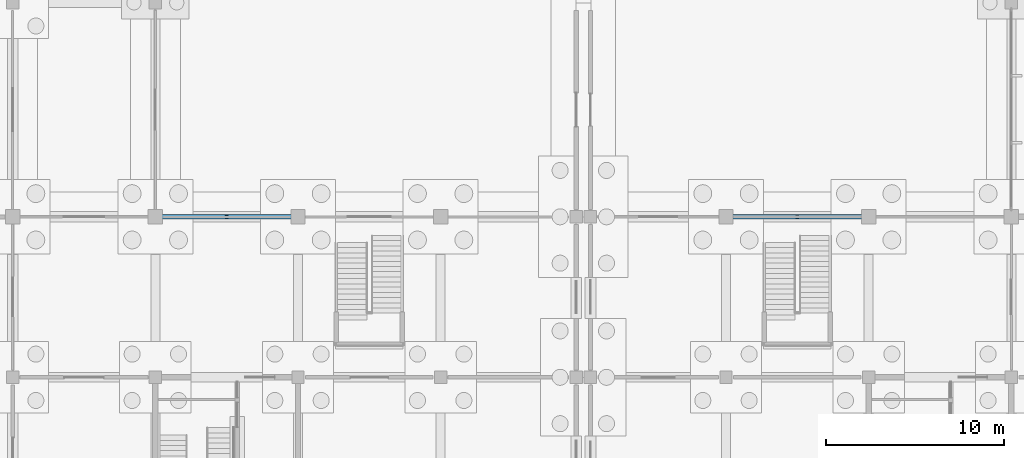
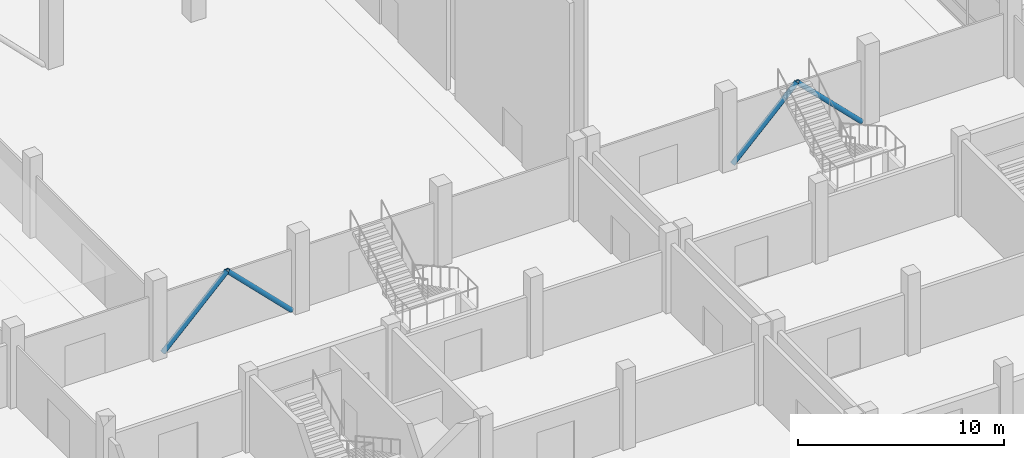
# One storey, part 21 of 72: 4 members.
"""IFC4 building model written with IfcOpenShell, lengths in metres."""

from ifc_helpers import new_model, si_unit, direction, frame, origin, origin_2d, place, context, subcontext, project, spatial, hollow_circle, extrude, material, material_profile, profile_set, type_object, element, save


model = new_model("IFC4")

# Units and contexts
model_context = context("Model", 3, precision=1e-05, world=origin(), true_north=direction((0.0, 1.0)))
body_context = subcontext(model_context, "Body", "Model", "MODEL_VIEW")
ifc_project = project(units=[si_unit("LENGTHUNIT", "METRE"), si_unit("AREAUNIT", "SQUARE_METRE"), si_unit("VOLUMEUNIT", "CUBIC_METRE"), si_unit("PLANEANGLEUNIT", "RADIAN"), si_unit("MASSUNIT", "GRAM", prefix="KILO"), si_unit("THERMODYNAMICTEMPERATUREUNIT", "KELVIN"), si_unit("POWERUNIT", "WATT")], contexts=[model_context])

# Site, building, storey
site_placement = place(None, origin())
site = spatial("IfcSite", under=ifc_project, at=site_placement, CompositionType="ELEMENT")
building_placement = place(site_placement, origin())
building = spatial("IfcBuilding", under=site, at=building_placement, Name="Kronsvod Quay Wholesale Market", CompositionType="ELEMENT")
storey_placement = place(building_placement, origin())
storey = spatial("IfcBuildingStorey", under=building, at=storey_placement, Name="L00", CompositionType="ELEMENT", Elevation=0.0)

# Members
ifc_material = material(Name="Steel S355", Category="steel")
ifc_material_profile = material_profile(ifc_material, hollow_circle(Radius=0.136474609375, WallThickness=0.010009765625, at=origin_2d()), Name="CHS273x10")
ifc_profile_set = profile_set([ifc_material_profile], Name="Steel S355")
member_type = type_object("IfcMemberType", Name="Member_Brace273x10", PredefinedType="BRACE", material=ifc_profile_set)
for number, where, z_axis, x_axis, name in (
    (1, (40.389892578125, 54.0, 0.050048828125), (0.708111702507, 0.0, 0.706100429665), (0.0, 1.0, 0.0), "BRCG-L00-400-540-A"),
    (2, (47.610107421875, 54.0, 0.050048828125), (-0.708111702507, 0.0, 0.706100429665), (0.0, -1.0, 0.0), "BRCG-L00-400-540-B"),
    (3, (72.389892578125, 54.0, 0.050048828125), (0.708111702507, 0.0, 0.706100429665), (0.0, 1.0, 0.0), "BRCG-L00-720-540-A"),
    (4, (79.610107421875, 54.0, 0.050048828125), (-0.708111702507, 0.0, 0.706100429665), (0.0, -1.0, 0.0), "BRCG-L00-720-540-B"),
):
    element("IfcMember", number, at=place(storey_placement, frame(where, z_axis=z_axis, x_axis=x_axis)), inside=storey, type_object=member_type, Name=name, PredefinedType="BRACE", context=body_context, shape_type="SweptSolid", body=[
        extrude(hollow_circle(Radius=0.136474609375, WallThickness=0.010009765625, at=origin_2d()), origin(), (0.0, 0.0, 1.0), 5.09814453125),
    ])

save(model, "model.ifc")
